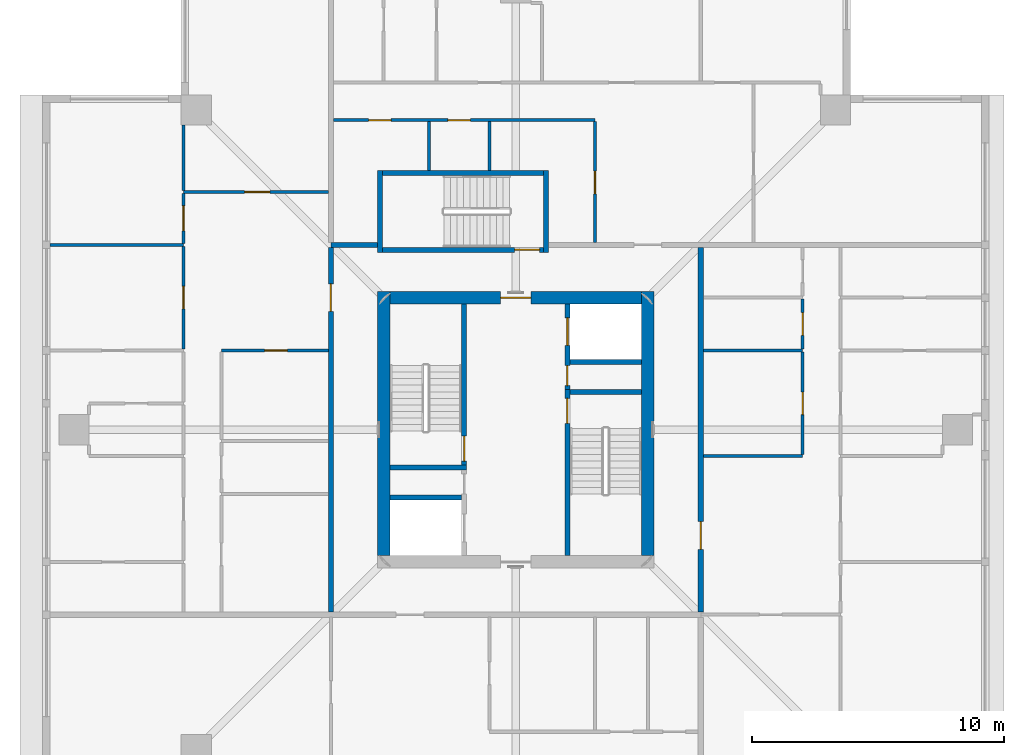
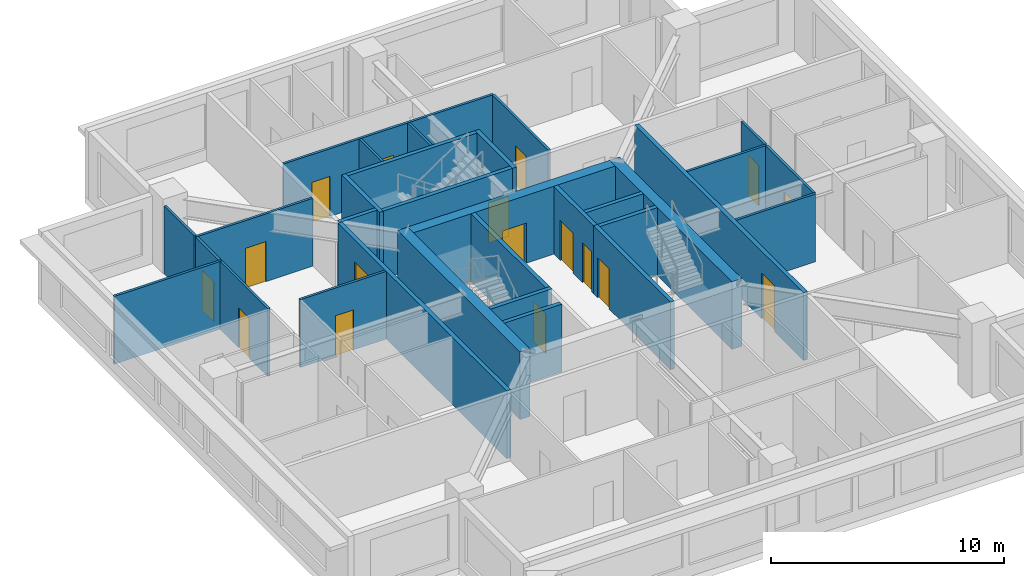
# One storey, part 6 of 11: 31 walls, 17 doors, 17 openings.
"""IFC4 building model written with IfcOpenShell, lengths in metres."""

import ifcopenshell
import ifcopenshell.guid

model = None  # the IFC model being written
_history = None  # IfcOwnerHistory: only IFC2X3 demands one
_inside = {}  # id of a spatial element -> (the spatial element, [elements in it])
_under = {}  # id of a project, library or spatial element -> (it, [spatial elements below it])
_declared = {}  # id of a project -> (the project, [libraries it declares])
_typed = {}  # id of a type object -> (the type object, [elements of that type])
_made_of = {}  # id of a material, layer set ... -> (it, [elements and type objects made of it])


def new_model(schema):
    """Start an empty IFC model of exactly this schema.

    Asked for "IFC4X3", IfcOpenShell would pick the latest addendum, in which some entities
    have other attributes; the version numbers below select the first issue.
    IFC2X3 requires an IfcOwnerHistory on every rooted entity: one is made here for all.
    """
    global model, _history
    if schema == "IFC4X3":
        model = ifcopenshell.file(schema_version=(4, 3, 0, 0))
    else:
        model = ifcopenshell.file(schema=schema)
    _inside.clear()
    _under.clear()
    _declared.clear()
    _typed.clear()
    _made_of.clear()
    _history = None
    if model.schema == "IFC2X3":
        org = make("IfcOrganization", Name="unknown")
        user = make(
            "IfcPersonAndOrganization",
            ThePerson=make("IfcPerson", FamilyName="unknown"),
            TheOrganization=org,
        )
        app = make(
            "IfcApplication",
            ApplicationDeveloper=org,
            Version="unknown",
            ApplicationFullName="unknown",
            ApplicationIdentifier="unknown",
        )
        _history = make(
            "IfcOwnerHistory",
            OwningUser=user,
            OwningApplication=app,
            ChangeAction="ADDED",
            CreationDate=0,
        )
    return model


def make(cls, **values):
    """One entity of the class cls with the attributes given. An attribute that is None is left unset."""
    return model.create_entity(
        cls, **{name: value for name, value in values.items() if value is not None}
    )


def rooted(cls, **values):
    """An entity with a GlobalId (a new one), such as an element, a storey or a relation."""
    return make(cls, GlobalId=ifcopenshell.guid.new(), OwnerHistory=_history, **values)


def si_unit(unit_type, name, prefix=None):
    """IfcSIUnit, for example si_unit("LENGTHUNIT", "METRE", prefix="MILLI")."""
    return make("IfcSIUnit", UnitType=unit_type, Prefix=prefix, Name=name)


def assignment(units):
    """IfcUnitAssignment: the units of a project."""
    return None if units is None else make("IfcUnitAssignment", Units=units)


def point(xyz):
    """IfcCartesianPoint."""
    return None if xyz is None else make("IfcCartesianPoint", Coordinates=xyz)


def direction(xyz):
    """IfcDirection."""
    return None if xyz is None else make("IfcDirection", DirectionRatios=xyz)


def frame(location, z_axis=None, x_axis=None):
    """IfcAxis2Placement3D, a coordinate frame: its origin and axes. An axis left out is left unset."""
    return make(
        "IfcAxis2Placement3D",
        Location=point(location),
        Axis=direction(z_axis),
        RefDirection=direction(x_axis),
    )


def frame_2d(location, x_axis=None):
    """IfcAxis2Placement2D, a coordinate frame in the plane: its origin and x axis."""
    return make(
        "IfcAxis2Placement2D", Location=point(location), RefDirection=direction(x_axis)
    )


def origin():
    """The frame at (0, 0, 0) with its axes left unset."""
    return frame((0.0, 0.0, 0.0))


def place(relative_to, where):
    """IfcLocalPlacement: puts the frame where relative to a parent placement (None: the world)."""
    return make(
        "IfcLocalPlacement", PlacementRelTo=relative_to, RelativePlacement=where
    )


def context(
    kind, dimensions, precision=None, world=None, true_north=None, identifier=None
):
    """IfcGeometricRepresentationContext, for example the 3D "Model" context."""
    return make(
        "IfcGeometricRepresentationContext",
        ContextIdentifier=identifier,
        ContextType=kind,
        CoordinateSpaceDimension=dimensions,
        Precision=precision,
        WorldCoordinateSystem=world,
        TrueNorth=true_north,
    )


def subcontext(parent, identifier, kind, view, scale=None):
    """IfcGeometricRepresentationSubContext, for example "Body" below "Model"."""
    return make(
        "IfcGeometricRepresentationSubContext",
        ContextIdentifier=identifier,
        ContextType=kind,
        ParentContext=parent,
        TargetScale=scale,
        TargetView=view,
    )


def project(units=None, contexts=None):
    """IfcProject with its units and contexts."""
    return rooted(
        "IfcProject",
        Name="project",
        RepresentationContexts=contexts,
        UnitsInContext=assignment(units),
    )


def spatial(cls, under=None, at=None, **own):
    """A site, building, storey or space (cls), placed at a placement, below another one or the project."""
    s = rooted(cls, ObjectPlacement=at, **own)
    if under is not None:
        _under.setdefault(under.id(), (under, []))[1].append(s)
    return s


def profile(cls, at=None, kind="AREA", **sizes):
    """A parametric profile (cls). Its sizes go by their IFC names, for example OverallWidth=200.0."""
    return make(cls, ProfileType=kind, Position=at, **sizes)


def rectangle(**sizes):
    """IfcRectangleProfileDef."""
    return profile("IfcRectangleProfileDef", **sizes)


def extrude(swept, where, along, depth):
    """IfcExtrudedAreaSolid: the profile swept, set in the frame where, extruded along a direction by depth."""
    return make(
        "IfcExtrudedAreaSolid",
        SweptArea=swept,
        Position=where,
        ExtrudedDirection=direction(along),
        Depth=depth,
    )


def shape(context_of_items, identifier, shape_type, items):
    """IfcShapeRepresentation: the items that make up one representation, for example the "Body"."""
    return make(
        "IfcShapeRepresentation",
        ContextOfItems=context_of_items,
        RepresentationIdentifier=identifier,
        RepresentationType=shape_type,
        Items=items,
    )


def material(Name=None, Category=None):
    """IfcMaterial."""
    return make("IfcMaterial", Name=Name, Category=Category)


def layer(
    of_material, thickness, ventilated=None, Name=None, Category=None, Priority=None
):
    """IfcMaterialLayer: one layer of a wall or slab, of a material (None: an air gap)."""
    return make(
        "IfcMaterialLayer",
        Material=of_material,
        LayerThickness=thickness,
        IsVentilated=ventilated,
        Name=Name,
        Category=Category,
        Priority=Priority,
    )


def layer_set(layers, Name=None):
    """IfcMaterialLayerSet."""
    return make("IfcMaterialLayerSet", MaterialLayers=layers, LayerSetName=Name)


def made_of(thing, what):
    """Note that an element or type object is made of a material, layer set ...; save() writes the relation."""
    if what is not None:
        _made_of.setdefault(what.id(), (what, []))[1].append(thing)
    return thing


def type_object(cls, material=None, **own):
    """A type object (cls), such as IfcWallType, which elements share."""
    return made_of(rooted(cls, **own), material)


def element(
    cls,
    number,
    at=None,
    inside=None,
    cuts=None,
    type_object=None,
    material=None,
    context=None,
    identifier="Body",
    shape_type=None,
    held_by="IfcProductDefinitionShape",
    body=None,
    shapes=None,
    **own,
):
    """One element of the class cls, such as IfcWall. Its Tag is "e" and its number.

    at: its placement. inside: the storey or other place that contains it. cuts: it is an
    opening in that element (IfcRelVoidsElement). A single representation is given by context,
    identifier, shape_type and body (its items); several are given by shapes. held_by: the class
    of the entity that holds the representations. save() writes the other relations.
    """
    e = rooted(cls, Tag="e%d" % number, ObjectPlacement=at, **own)
    if body is not None:
        shapes = [shape(context, identifier, shape_type, body)]
    if shapes is not None:
        e.Representation = make(held_by, Representations=shapes)
    if inside is not None:
        _inside.setdefault(inside.id(), (inside, []))[1].append(e)
    if cuts is not None:
        rooted(
            "IfcRelVoidsElement", RelatingBuildingElement=cuts, RelatedOpeningElement=e
        )
    if type_object is not None:
        _typed.setdefault(type_object.id(), (type_object, []))[1].append(e)
    return made_of(e, material)


def fill(opening, filler):
    """IfcRelFillsElement: the door or window that sits in an opening."""
    return rooted(
        "IfcRelFillsElement",
        RelatingOpeningElement=opening,
        RelatedBuildingElement=filler,
    )


def aggregate(whole, parts):
    """IfcRelAggregates: a whole, such as a stair, and the parts it consists of."""
    return rooted("IfcRelAggregates", RelatingObject=whole, RelatedObjects=parts)


def save(model, path):
    """Write the relations noted so far, then the file.

    IfcRelAggregates (storeys below a building ...), IfcRelContainedInSpatialStructure (elements
    in a storey), IfcRelDefinesByType, IfcRelAssociatesMaterial and IfcRelDeclares: one each for
    every whole, place, type object, material and project.
    """
    for whole, parts in _under.values():
        aggregate(whole, parts)
    for where, things in _inside.values():
        rooted(
            "IfcRelContainedInSpatialStructure",
            RelatedElements=things,
            RelatingStructure=where,
        )
    for kind, things in _typed.values():
        rooted("IfcRelDefinesByType", RelatedObjects=things, RelatingType=kind)
    for what, things in _made_of.values():
        rooted("IfcRelAssociatesMaterial", RelatedObjects=things, RelatingMaterial=what)
    for by, libraries in _declared.values():
        rooted("IfcRelDeclares", RelatingContext=by, RelatedDefinitions=libraries)
    model.write(path)


model = new_model("IFC4")

# Units and contexts
model_context = context("Model", 3, precision=1e-05, world=origin(), true_north=direction((0.0, 1.0)))
body_context = subcontext(model_context, "Body", "Model", "MODEL_VIEW")
ifc_project = project(units=[si_unit("LENGTHUNIT", "METRE"), si_unit("AREAUNIT", "SQUARE_METRE"), si_unit("VOLUMEUNIT", "CUBIC_METRE"), si_unit("PLANEANGLEUNIT", "RADIAN"), si_unit("MASSUNIT", "GRAM", prefix="KILO")], contexts=[model_context])

# Site, building, storey
site_placement = place(None, origin())
site = spatial("IfcSite", under=ifc_project, at=site_placement, CompositionType="ELEMENT")
building_placement = place(site_placement, origin())
building = spatial("IfcBuilding", under=site, at=building_placement, Name="Khepri Terraces", CompositionType="ELEMENT")
storey_placement = place(building_placement, frame((0.0, 0.0, 308.39990234375)))
storey = spatial("IfcBuildingStorey", under=building, at=storey_placement, Name="L74", CompositionType="ELEMENT", Elevation=308.39990234375)

# Wall, opening, door
ifc_material_1 = material(Name="Concrete C40/50", Category="concrete")
ifc_layer_1 = layer(ifc_material_1, 0.199951171875, Name="Concrete C40/50", Category="concrete")
ifc_layer_set_1 = layer_set([ifc_layer_1], Name="Concrete C40/50")
wall_type_1 = type_object("IfcWallType", Name="Core wall 200 C40/50", PredefinedType="SHEAR", material=ifc_layer_set_1)
wall_1_placement = place(storey_placement, frame((2.050048828125, -5.0, 0.0), z_axis=(0.0, 0.0, 1.0), x_axis=(0.0, 1.0, 0.0)))
wall_1 = element("IfcWall", 1, at=wall_1_placement, inside=storey, type_object=wall_type_1, Name="Core wall ST01 L74", PredefinedType="SHEAR", context=body_context, shape_type="SweptSolid", body=[
    extrude(rectangle(XDim=6.60009765625, YDim=0.199951171875, at=frame_2d((3.300048828125, 0.0))), origin(), (0.0, 0.0, 1.0), 3.550048828125),
])
opening_1_placement = place(wall_1_placement, frame((5.25, 0.0, 0.0)))
opening_1 = element("IfcOpeningElement", 2, at=opening_1_placement, cuts=wall_1, Name="Opening L74-C04", PredefinedType="OPENING", context=body_context, shape_type="SweptSolid", body=[
    extrude(rectangle(XDim=1.0, YDim=2.10009765625, at=frame_2d((0.5, 1.050048828125))), frame((0.0, 0.10986328125, 0.0), z_axis=(0.0, -1.0, 0.0), x_axis=(1.0, 0.0, 0.0)), (0.0, 0.0, 1.0), 0.219970703125),
])
ifc_material_2 = material(Name="Painted steel", Category="steel")
door_type_1 = type_object("IfcDoorType", Name="DR-CORE-STAIR-1000", OperationType="NOTDEFINED", PredefinedType="DOOR", material=ifc_material_2)
door_1_placement = place(opening_1_placement, frame((1.0, 0.0, 0.0), z_axis=(0.0, 0.0, 1.0), x_axis=(-1.0, 0.0, 0.0)))
door_1 = element("IfcDoor", 3, at=door_1_placement, inside=storey, type_object=door_type_1, Name="Stair door L74-C04", OperationType="SINGLE_SWING_LEFT", OverallHeight=2.10009765625, OverallWidth=1.0, PredefinedType="DOOR", context=body_context, shape_type="SweptSolid", body=[
    extrude(rectangle(XDim=1.0, YDim=2.10009765625, at=frame_2d((0.5, 1.050048828125))), frame((0.0, 0.02490234375, 0.0), z_axis=(0.0, -1.0, 0.0), x_axis=(1.0, 0.0, 0.0)), (0.0, 0.0, 1.0), 0.050048828125),
])
fill(opening_1, door_1)

# Wall
wall_2_placement = place(storey_placement, frame((-5.0, -1.5, 0.0), z_axis=(0.0, 0.0, 1.0), x_axis=(1.0, 0.0, 0.0)))
element("IfcWall", 4, at=wall_2_placement, inside=storey, type_object=wall_type_1, Name="Core wall ST02 L74", PredefinedType="SHEAR", context=body_context, shape_type="SweptSolid", body=[
    extrude(rectangle(XDim=3.050048828125, YDim=0.199951171875, at=frame_2d((1.52490234375, 0.0))), origin(), (0.0, 0.0, 1.0), 3.550048828125),
])

# Wall, opening, door
wall_3_placement = place(storey_placement, frame((-2.050048828125, -1.39990234375, 0.0), z_axis=(0.0, 0.0, 1.0), x_axis=(0.0, 1.0, 0.0)))
wall_3 = element("IfcWall", 5, at=wall_3_placement, inside=storey, type_object=wall_type_1, Name="Core wall ST03 L74", PredefinedType="SHEAR", context=body_context, shape_type="SweptSolid", body=[
    extrude(rectangle(XDim=6.39990234375, YDim=0.199951171875, at=frame_2d((3.199951171875, 0.0))), origin(), (0.0, 0.0, 1.0), 3.550048828125),
])
opening_2_placement = place(wall_3_placement, frame((0.14990234375, 0.0, 0.0)))
opening_2 = element("IfcOpeningElement", 6, at=opening_2_placement, cuts=wall_3, Name="Opening L74-C03", PredefinedType="OPENING", context=body_context, shape_type="SweptSolid", body=[
    extrude(rectangle(XDim=1.0, YDim=2.10009765625, at=frame_2d((0.5, 1.050048828125))), frame((0.0, 0.10986328125, 0.0), z_axis=(0.0, -1.0, 0.0), x_axis=(1.0, 0.0, 0.0)), (0.0, 0.0, 1.0), 0.219970703125),
])
door_2_placement = place(opening_2_placement, origin())
door_2 = element("IfcDoor", 7, at=door_2_placement, inside=storey, type_object=door_type_1, Name="Stair door L74-C03", OperationType="SINGLE_SWING_LEFT", OverallHeight=2.10009765625, OverallWidth=1.0, PredefinedType="DOOR", context=body_context, shape_type="SweptSolid", body=[
    extrude(rectangle(XDim=1.0, YDim=2.10009765625, at=frame_2d((0.5, 1.050048828125))), frame((0.0, 0.02490234375, 0.0), z_axis=(0.0, -1.0, 0.0), x_axis=(1.0, 0.0, 0.0)), (0.0, 0.0, 1.0), 0.050048828125),
])
fill(opening_2, door_2)

# Walls
for number, where, z_axis, x_axis, name in (
    (8, (2.14990234375, 1.5, 0.0), (0.0, 0.0, 1.0), (1.0, 0.0, 0.0), "Core wall ST04 L74"),
    (9, (-5.0, -2.699951171875, 0.0), (0.0, 0.0, 1.0), (1.0, 0.0, 0.0), "Core wall SH02 L74"),
):
    element("IfcWall", number, at=place(storey_placement, frame(where, z_axis=z_axis, x_axis=x_axis)), inside=storey, type_object=wall_type_1, Name=name, PredefinedType="SHEAR", context=body_context, shape_type="SweptSolid", body=[
        extrude(rectangle(XDim=2.85009765625, YDim=0.199951171875, at=frame_2d((1.425048828125, 0.0))), origin(), (0.0, 0.0, 1.0), 3.550048828125),
    ])

# Wall, openings, doors
wall_4_placement = place(storey_placement, frame((2.050048828125, 1.60009765625, 0.0), z_axis=(0.0, 0.0, 1.0), x_axis=(0.0, 1.0, 0.0)))
wall_4 = element("IfcWall", 10, at=wall_4_placement, inside=storey, type_object=wall_type_1, Name="Core wall SH03 L74", PredefinedType="SHEAR", context=body_context, shape_type="SweptSolid", body=[
    extrude(rectangle(XDim=3.39990234375, YDim=0.199951171875, at=frame_2d((1.699951171875, 0.0))), origin(), (0.0, 0.0, 1.0), 3.550048828125),
])
opening_3_placement = place(wall_4_placement, frame((1.75, 0.0, 0.0)))
opening_3 = element("IfcOpeningElement", 11, at=opening_3_placement, cuts=wall_4, Name="Opening L74-C01", PredefinedType="OPENING", context=body_context, shape_type="SweptSolid", body=[
    extrude(rectangle(XDim=1.10009765625, YDim=2.10009765625, at=frame_2d((0.550048828125, 1.050048828125))), frame((0.0, 0.10986328125, 0.0), z_axis=(0.0, -1.0, 0.0), x_axis=(1.0, 0.0, 0.0)), (0.0, 0.0, 1.0), 0.219970703125),
])
opening_4_placement = place(wall_4_placement, frame((0.14990234375, 0.0, 0.0)))
opening_4 = element("IfcOpeningElement", 12, at=opening_4_placement, cuts=wall_4, Name="Opening L74-C05", PredefinedType="OPENING", context=body_context, shape_type="SweptSolid", body=[
    extrude(rectangle(XDim=0.800048828125, YDim=2.10009765625, at=frame_2d((0.39990234375, 1.050048828125))), frame((0.0, 0.10986328125, 0.0), z_axis=(0.0, -1.0, 0.0), x_axis=(1.0, 0.0, 0.0)), (0.0, 0.0, 1.0), 0.219970703125),
])
ifc_material_3 = material(Name="Stainless steel 304", Category="steel")
door_type_2 = type_object("IfcDoorType", Name="DR-CORE-FF-LANDING-1100", OperationType="NOTDEFINED", PredefinedType="DOOR", material=ifc_material_3)
door_3_placement = place(opening_3_placement, origin())
door_3 = element("IfcDoor", 13, at=door_3_placement, inside=storey, type_object=door_type_2, Name="Firefighting lift landing door L74-C01", OperationType="SLIDING_TO_LEFT", OverallHeight=2.10009765625, OverallWidth=1.10009765625, PredefinedType="DOOR", context=body_context, shape_type="SweptSolid", body=[
    extrude(rectangle(XDim=1.10009765625, YDim=2.10009765625, at=frame_2d((0.550048828125, 1.050048828125))), frame((0.0, 0.02490234375, 0.0), z_axis=(0.0, -1.0, 0.0), x_axis=(1.0, 0.0, 0.0)), (0.0, 0.0, 1.0), 0.050048828125),
])
fill(opening_3, door_3)
door_type_3 = type_object("IfcDoorType", Name="DR-CORE-RISER-800", OperationType="NOTDEFINED", PredefinedType="DOOR", material=ifc_material_2)
door_4_placement = place(opening_4_placement, frame((0.800048828125, 0.0, 0.0), z_axis=(0.0, 0.0, 1.0), x_axis=(-1.0, 0.0, 0.0)))
door_4 = element("IfcDoor", 14, at=door_4_placement, inside=storey, type_object=door_type_3, Name="Riser door L74-C05", OperationType="SINGLE_SWING_RIGHT", OverallHeight=2.10009765625, OverallWidth=0.800048828125, PredefinedType="DOOR", context=body_context, shape_type="SweptSolid", body=[
    extrude(rectangle(XDim=0.800048828125, YDim=2.10009765625, at=frame_2d((0.39990234375, 1.050048828125))), frame((0.0, 0.02490234375, 0.0), z_axis=(0.0, -1.0, 0.0), x_axis=(1.0, 0.0, 0.0)), (0.0, 0.0, 1.0), 0.050048828125),
])
fill(opening_4, door_4)

# Walls
wall_5_placement = place(storey_placement, frame((2.14990234375, 2.699951171875, 0.0), z_axis=(0.0, 0.0, 1.0), x_axis=(1.0, 0.0, 0.0)))
element("IfcWall", 15, at=wall_5_placement, inside=storey, type_object=wall_type_1, Name="Core wall SH04 L74", PredefinedType="SHEAR", context=body_context, shape_type="SweptSolid", body=[
    extrude(rectangle(XDim=2.85009765625, YDim=0.199951171875, at=frame_2d((1.425048828125, 0.0))), origin(), (0.0, 0.0, 1.0), 3.550048828125),
])
for number, where, z_axis, x_axis, name in (
    (16, (-5.39990234375, 7.050048828125, 0.0), (0.0, 0.0, 1.0), (0.0, 1.0, 0.0), "Core wall S3W L74"),
    (17, (1.199951171875, 7.050048828125, 0.0), (0.0, 0.0, 1.0), (0.0, 1.0, 0.0), "Core wall S3E L74"),
):
    element("IfcWall", number, at=place(storey_placement, frame(where, z_axis=z_axis, x_axis=x_axis)), inside=storey, type_object=wall_type_1, Name=name, PredefinedType="SHEAR", context=body_context, shape_type="SweptSolid", body=[
        extrude(rectangle(XDim=3.25, YDim=0.199951171875, at=frame_2d((1.625, 0.0))), origin(), (0.0, 0.0, 1.0), 3.550048828125),
    ])

# Wall, opening, door
wall_6_placement = place(storey_placement, frame((-5.300048828125, 7.14990234375, 0.0), z_axis=(0.0, 0.0, 1.0), x_axis=(1.0, 0.0, 0.0)))
wall_6 = element("IfcWall", 18, at=wall_6_placement, inside=storey, type_object=wall_type_1, Name="Core wall S3S L74", PredefinedType="SHEAR", context=body_context, shape_type="SweptSolid", body=[
    extrude(rectangle(XDim=6.400146484375, YDim=0.199951171875, at=frame_2d((3.2001953125, 0.0))), origin(), (0.0, 0.0, 1.0), 3.550048828125),
])
opening_5_placement = place(wall_6_placement, frame((5.25, 0.0, 0.0)))
opening_5 = element("IfcOpeningElement", 19, at=opening_5_placement, cuts=wall_6, Name="Opening L74-C07", PredefinedType="OPENING", context=body_context, shape_type="SweptSolid", body=[
    extrude(rectangle(XDim=1.0, YDim=2.10009765625, at=frame_2d((0.5, 1.050048828125))), frame((0.0, 0.10986328125, 0.0), z_axis=(0.0, -1.0, 0.0), x_axis=(1.0, 0.0, 0.0)), (0.0, 0.0, 1.0), 0.219970703125),
])
door_5_placement = place(opening_5_placement, origin())
door_5 = element("IfcDoor", 20, at=door_5_placement, inside=storey, type_object=door_type_1, Name="Stair door L74-C07", OperationType="SINGLE_SWING_RIGHT", OverallHeight=2.10009765625, OverallWidth=1.0, PredefinedType="DOOR", context=body_context, shape_type="SweptSolid", body=[
    extrude(rectangle(XDim=1.0, YDim=2.10009765625, at=frame_2d((0.5, 1.050048828125))), frame((0.0, 0.02490234375, 0.0), z_axis=(0.0, -1.0, 0.0), x_axis=(1.0, 0.0, 0.0)), (0.0, 0.0, 1.0), 0.050048828125),
])
fill(opening_5, door_5)

# Walls
wall_7_placement = place(storey_placement, frame((-5.300048828125, 10.199951171875, 0.0), z_axis=(0.0, 0.0, 1.0), x_axis=(1.0, 0.0, 0.0)))
element("IfcWall", 21, at=wall_7_placement, inside=storey, type_object=wall_type_1, Name="Core wall S3N L74", PredefinedType="SHEAR", context=body_context, shape_type="SweptSolid", body=[
    extrude(rectangle(XDim=6.400146484375, YDim=0.199951171875, at=frame_2d((3.2001953125, 0.0))), origin(), (0.0, 0.0, 1.0), 3.550048828125),
])
ifc_layer_2 = layer(ifc_material_1, 0.5, Name="Concrete C40/50", Category="concrete")
ifc_layer_set_2 = layer_set([ifc_layer_2], Name="Concrete C40/50")
wall_type_2 = type_object("IfcWallType", Name="Core wall 500 C40/50", PredefinedType="SHEAR", material=ifc_layer_set_2)
for number, where, z_axis, x_axis, name in (
    (22, (-5.25, -5.0, 0.0), (0.0, 0.0, 1.0), (0.0, 1.0, 0.0), "Core wall BX02 L74"),
    (23, (5.25, -5.0, 0.0), (0.0, 0.0, 1.0), (0.0, 1.0, 0.0), "Core wall BX03 L74"),
):
    element("IfcWall", number, at=place(storey_placement, frame(where, z_axis=z_axis, x_axis=x_axis)), inside=storey, type_object=wall_type_2, Name=name, PredefinedType="SHEAR", context=body_context, shape_type="SweptSolid", body=[
        extrude(rectangle(XDim=10.5, YDim=0.5, at=frame_2d((5.25, 0.0))), origin(), (0.0, 0.0, 1.0), 3.550048828125),
    ])

# Wall, opening, door
wall_8_placement = place(storey_placement, frame((-5.0, 5.25, 0.0), z_axis=(0.0, 0.0, 1.0), x_axis=(1.0, 0.0, 0.0)))
wall_8 = element("IfcWall", 24, at=wall_8_placement, inside=storey, type_object=wall_type_2, Name="Core wall BX04 L74", PredefinedType="SHEAR", context=body_context, shape_type="SweptSolid", body=[
    extrude(rectangle(XDim=10.0, YDim=0.5, at=frame_2d((5.0, 0.0))), origin(), (0.0, 0.0, 1.0), 3.550048828125),
])
opening_6_placement = place(wall_8_placement, frame((4.39990234375, 0.0, 0.0)))
opening_6 = element("IfcOpeningElement", 25, at=opening_6_placement, cuts=wall_8, Name="Opening L74-C08", PredefinedType="OPENING", context=body_context, shape_type="SweptSolid", body=[
    extrude(rectangle(XDim=1.199951171875, YDim=2.10009765625, at=frame_2d((0.60009765625, 1.050048828125))), frame((0.0, 0.260009765625, 0.0), z_axis=(0.0, -1.0, 0.0), x_axis=(1.0, 0.0, 0.0)), (0.0, 0.0, 1.0), 0.52001953125),
])
door_type_4 = type_object("IfcDoorType", Name="DR-CORE-FF-LOBBY-1200", OperationType="NOTDEFINED", PredefinedType="DOOR", material=ifc_material_2)
door_6_placement = place(opening_6_placement, origin())
door_6 = element("IfcDoor", 26, at=door_6_placement, inside=storey, type_object=door_type_4, Name="Firefighting lobby door L74-C08", OperationType="SINGLE_SWING_RIGHT", OverallHeight=2.10009765625, OverallWidth=1.199951171875, PredefinedType="DOOR", context=body_context, shape_type="SweptSolid", body=[
    extrude(rectangle(XDim=1.199951171875, YDim=2.10009765625, at=frame_2d((0.60009765625, 1.050048828125))), frame((0.0, 0.02490234375, 0.0), z_axis=(0.0, -1.0, 0.0), x_axis=(1.0, 0.0, 0.0)), (0.0, 0.0, 1.0), 0.050048828125),
])
fill(opening_6, door_6)

ifc_material_4 = material(Name="Fire-rated gypsum plasterboard partition, mineral wool")
ifc_layer_3 = layer(ifc_material_4, 0.199951171875, Name="Fire-rated gypsum plasterboard partition, mineral wool")
ifc_layer_set_3 = layer_set([ifc_layer_3], Name="Fire-rated gypsum plasterboard partition, mineral wool")
wall_type_3 = type_object("IfcWallType", Name="WL-CORR-200", PredefinedType="PARTITIONING", material=ifc_layer_set_3)
wall_9_placement = place(storey_placement, frame((-7.35009765625, -7.25, 0.0), z_axis=(0.0, 0.0, 1.0), x_axis=(0.0, 1.0, 0.0)))
wall_9 = element("IfcWall", 27, at=wall_9_placement, inside=storey, type_object=wall_type_3, Name="Partition P-020 L74", PredefinedType="PARTITIONING", context=body_context, shape_type="SweptSolid", body=[
    extrude(rectangle(XDim=14.5, YDim=0.199951171875, at=frame_2d((7.25, 0.0))), origin(), (0.0, 0.0, 1.0), 3.550048828125),
])
opening_7_placement = place(wall_9_placement, frame((11.949951171875, 0.0, 0.0)))
opening_7 = element("IfcOpeningElement", 28, at=opening_7_placement, cuts=wall_9, Name="Opening D1", PredefinedType="OPENING", context=body_context, shape_type="SweptSolid", body=[
    extrude(rectangle(XDim=1.10009765625, YDim=2.39990234375, at=frame_2d((0.550048828125, 1.199951171875))), frame((0.0, 0.10986328125, 0.0), z_axis=(0.0, -1.0, 0.0), x_axis=(1.0, 0.0, 0.0)), (0.0, 0.0, 1.0), 0.219970703125),
])
ifc_material_5 = material(Name="Solid-core timber door leaf, flat entrance door", Category="wood")
door_type_5 = type_object("IfcDoorType", Name="DR-ENT-1100", OperationType="NOTDEFINED", PredefinedType="DOOR", material=ifc_material_5)
door_7_placement = place(opening_7_placement, origin())
door_7 = element("IfcDoor", 29, at=door_7_placement, inside=storey, type_object=door_type_5, Name="Flat D1 entrance door", OperationType="SINGLE_SWING_RIGHT", OverallHeight=2.39990234375, OverallWidth=1.10009765625, PredefinedType="DOOR", context=body_context, shape_type="SweptSolid", body=[
    extrude(rectangle(XDim=1.10009765625, YDim=2.39990234375, at=frame_2d((0.550048828125, 1.199951171875))), frame((0.0, 0.02490234375, 0.0), z_axis=(0.0, -1.0, 0.0), x_axis=(1.0, 0.0, 0.0)), (0.0, 0.0, 1.0), 0.050048828125),
])
fill(opening_7, door_7)

wall_10_placement = place(storey_placement, frame((7.35009765625, -7.25, 0.0), z_axis=(0.0, 0.0, 1.0), x_axis=(0.0, 1.0, 0.0)))
wall_10 = element("IfcWall", 30, at=wall_10_placement, inside=storey, type_object=wall_type_3, Name="Partition P-021 L74", PredefinedType="PARTITIONING", context=body_context, shape_type="SweptSolid", body=[
    extrude(rectangle(XDim=14.5, YDim=0.199951171875, at=frame_2d((7.25, 0.0))), origin(), (0.0, 0.0, 1.0), 3.550048828125),
])
opening_8_placement = place(wall_10_placement, frame((2.5, 0.0, 0.0)))
opening_8 = element("IfcOpeningElement", 31, at=opening_8_placement, cuts=wall_10, Name="Opening D1", PredefinedType="OPENING", context=body_context, shape_type="SweptSolid", body=[
    extrude(rectangle(XDim=1.10009765625, YDim=2.39990234375, at=frame_2d((0.550048828125, 1.199951171875))), frame((0.0, 0.10986328125, 0.0), z_axis=(0.0, -1.0, 0.0), x_axis=(1.0, 0.0, 0.0)), (0.0, 0.0, 1.0), 0.219970703125),
])
door_8_placement = place(opening_8_placement, frame((1.10009765625, 0.0, 0.0), z_axis=(0.0, 0.0, 1.0), x_axis=(-1.0, 0.0, 0.0)))
door_8 = element("IfcDoor", 32, at=door_8_placement, inside=storey, type_object=door_type_5, Name="Flat B1 entrance door", OperationType="SINGLE_SWING_RIGHT", OverallHeight=2.39990234375, OverallWidth=1.10009765625, PredefinedType="DOOR", context=body_context, shape_type="SweptSolid", body=[
    extrude(rectangle(XDim=1.10009765625, YDim=2.39990234375, at=frame_2d((0.550048828125, 1.199951171875))), frame((0.0, 0.02490234375, 0.0), z_axis=(0.0, -1.0, 0.0), x_axis=(1.0, 0.0, 0.0)), (0.0, 0.0, 1.0), 0.050048828125),
])
fill(opening_8, door_8)

# Walls
wall_11_placement = place(storey_placement, frame((-7.35009765625, 7.35009765625, 0.0), z_axis=(0.0, 0.0, 1.0), x_axis=(1.0, 0.0, 0.0)))
element("IfcWall", 33, at=wall_11_placement, inside=storey, type_object=wall_type_3, Name="Partition P-054 L74", PredefinedType="PARTITIONING", context=body_context, shape_type="SweptSolid", body=[
    extrude(rectangle(XDim=1.85009765625, YDim=0.199951171875, at=frame_2d((0.925048828125, 0.0))), origin(), (0.0, 0.0, 1.0), 3.550048828125),
])
ifc_material_6 = material(Name="Gypsum plasterboard partition")
ifc_layer_4 = layer(ifc_material_6, 0.1201171875, Name="Gypsum plasterboard partition")
ifc_layer_set_4 = layer_set([ifc_layer_4], Name="Gypsum plasterboard partition")
wall_type_4 = type_object("IfcWallType", Name="WL-PART-120", PredefinedType="PARTITIONING", material=ifc_layer_set_4)
wall_12_placement = place(storey_placement, frame((7.449951171875, -1.050048828125, 0.0), z_axis=(0.0, 0.0, 1.0), x_axis=(1.0, 0.0, 0.0)))
element("IfcWall", 34, at=wall_12_placement, inside=storey, type_object=wall_type_4, Name="Partition P-029 L74", PredefinedType="PARTITIONING", context=body_context, shape_type="SweptSolid", body=[
    extrude(rectangle(XDim=3.949951171875, YDim=0.1201171875, at=frame_2d((1.97509765625, 0.0))), origin(), (0.0, 0.0, 1.0), 3.550048828125),
])

# Wall, opening, door
wall_13_placement = place(storey_placement, frame((11.39990234375, -0.989990234375, 0.0), z_axis=(0.0, 0.0, 1.0), x_axis=(0.0, 1.0, 0.0)))
wall_13 = element("IfcWall", 35, at=wall_13_placement, inside=storey, type_object=wall_type_4, Name="Partition P-033 L74", PredefinedType="PARTITIONING", context=body_context, shape_type="SweptSolid", body=[
    extrude(rectangle(XDim=4.080078125, YDim=0.1201171875, at=frame_2d((2.0400390625, 0.0))), origin(), (0.0, 0.0, 1.0), 3.550048828125),
])
opening_9_placement = place(wall_13_placement, frame((1.590087890625, 0.0, 0.0)))
opening_9 = element("IfcOpeningElement", 36, at=opening_9_placement, cuts=wall_13, Name="Opening D3", PredefinedType="OPENING", context=body_context, shape_type="SweptSolid", body=[
    extrude(rectangle(XDim=0.89990234375, YDim=2.10009765625, at=frame_2d((0.449951171875, 1.050048828125))), frame((0.0, 0.070068359375, 0.0), z_axis=(0.0, -1.0, 0.0), x_axis=(1.0, 0.0, 0.0)), (0.0, 0.0, 1.0), 0.14013671875),
])
ifc_material_7 = material(Name="Timber door leaf", Category="wood")
door_type_6 = type_object("IfcDoorType", Name="DR-INT-900", OperationType="NOTDEFINED", PredefinedType="DOOR", material=ifc_material_7)
door_9_placement = place(opening_9_placement, origin())
door_9 = element("IfcDoor", 37, at=door_9_placement, inside=storey, type_object=door_type_6, Name="Door Kitchen", OperationType="SINGLE_SWING_RIGHT", OverallHeight=2.10009765625, OverallWidth=0.89990234375, PredefinedType="DOOR", context=body_context, shape_type="SweptSolid", body=[
    extrude(rectangle(XDim=0.89990234375, YDim=2.10009765625, at=frame_2d((0.449951171875, 1.050048828125))), frame((0.0, 0.02490234375, 0.0), z_axis=(0.0, -1.0, 0.0), x_axis=(1.0, 0.0, 0.0)), (0.0, 0.0, 1.0), 0.050048828125),
])
fill(opening_9, door_9)

wall_14_placement = place(storey_placement, frame((-11.699951171875, 3.14990234375, 0.0), z_axis=(0.0, 0.0, 1.0), x_axis=(1.0, 0.0, 0.0)))
wall_14 = element("IfcWall", 38, at=wall_14_placement, inside=storey, type_object=wall_type_4, Name="Partition P-043 L74", PredefinedType="PARTITIONING", context=body_context, shape_type="SweptSolid", body=[
    extrude(rectangle(XDim=4.25, YDim=0.1201171875, at=frame_2d((2.125, 0.0))), origin(), (0.0, 0.0, 1.0), 3.550048828125),
])
opening_10_placement = place(wall_14_placement, frame((1.72509765625, 0.0, 0.0)))
opening_10 = element("IfcOpeningElement", 39, at=opening_10_placement, cuts=wall_14, Name="Opening D3", PredefinedType="OPENING", context=body_context, shape_type="SweptSolid", body=[
    extrude(rectangle(XDim=0.89990234375, YDim=2.10009765625, at=frame_2d((0.449951171875, 1.050048828125))), frame((0.0, 0.070068359375, 0.0), z_axis=(0.0, -1.0, 0.0), x_axis=(1.0, 0.0, 0.0)), (0.0, 0.0, 1.0), 0.14013671875),
])
door_10_placement = place(opening_10_placement, frame((0.89990234375, 0.0, 0.0), z_axis=(0.0, 0.0, 1.0), x_axis=(-1.0, 0.0, 0.0)))
door_10 = element("IfcDoor", 40, at=door_10_placement, inside=storey, type_object=door_type_6, Name="Door Kitchen", OperationType="SINGLE_SWING_LEFT", OverallHeight=2.10009765625, OverallWidth=0.89990234375, PredefinedType="DOOR", context=body_context, shape_type="SweptSolid", body=[
    extrude(rectangle(XDim=0.89990234375, YDim=2.10009765625, at=frame_2d((0.449951171875, 1.050048828125))), frame((0.0, 0.02490234375, 0.0), z_axis=(0.0, -1.0, 0.0), x_axis=(1.0, 0.0, 0.0)), (0.0, 0.0, 1.0), 0.050048828125),
])
fill(opening_10, door_10)

# Wall
wall_15_placement = place(storey_placement, frame((7.449951171875, 3.14990234375, 0.0), z_axis=(0.0, 0.0, 1.0), x_axis=(1.0, 0.0, 0.0)))
element("IfcWall", 41, at=wall_15_placement, inside=storey, type_object=wall_type_4, Name="Partition P-044 L74", PredefinedType="PARTITIONING", context=body_context, shape_type="SweptSolid", body=[
    extrude(rectangle(XDim=3.949951171875, YDim=0.1201171875, at=frame_2d((1.97509765625, 0.0))), origin(), (0.0, 0.0, 1.0), 3.550048828125),
])

# Wall, opening, door
wall_16_placement = place(storey_placement, frame((-13.199951171875, 3.2099609375, 0.0), z_axis=(0.0, 0.0, 1.0), x_axis=(0.0, 1.0, 0.0)))
wall_16 = element("IfcWall", 42, at=wall_16_placement, inside=storey, type_object=wall_type_4, Name="Partition P-046 L74", PredefinedType="PARTITIONING", context=body_context, shape_type="SweptSolid", body=[
    extrude(rectangle(XDim=4.080078125, YDim=0.1201171875, at=frame_2d((2.0400390625, 0.0))), origin(), (0.0, 0.0, 1.0), 3.550048828125),
])
opening_11_placement = place(wall_16_placement, frame((1.590087890625, 0.0, 0.0)))
opening_11 = element("IfcOpeningElement", 43, at=opening_11_placement, cuts=wall_16, Name="Opening D3", PredefinedType="OPENING", context=body_context, shape_type="SweptSolid", body=[
    extrude(rectangle(XDim=0.89990234375, YDim=2.10009765625, at=frame_2d((0.449951171875, 1.050048828125))), frame((0.0, 0.070068359375, 0.0), z_axis=(0.0, -1.0, 0.0), x_axis=(1.0, 0.0, 0.0)), (0.0, 0.0, 1.0), 0.14013671875),
])
door_11_placement = place(opening_11_placement, origin())
door_11 = element("IfcDoor", 44, at=door_11_placement, inside=storey, type_object=door_type_6, Name="Door Master Bedroom", OperationType="SINGLE_SWING_RIGHT", OverallHeight=2.10009765625, OverallWidth=0.89990234375, PredefinedType="DOOR", context=body_context, shape_type="SweptSolid", body=[
    extrude(rectangle(XDim=0.89990234375, YDim=2.10009765625, at=frame_2d((0.449951171875, 1.050048828125))), frame((0.0, 0.02490234375, 0.0), z_axis=(0.0, -1.0, 0.0), x_axis=(1.0, 0.0, 0.0)), (0.0, 0.0, 1.0), 0.050048828125),
])
fill(opening_11, door_11)

wall_17_placement = place(storey_placement, frame((11.39990234375, 3.2099609375, 0.0), z_axis=(0.0, 0.0, 1.0), x_axis=(0.0, 1.0, 0.0)))
wall_17 = element("IfcWall", 45, at=wall_17_placement, inside=storey, type_object=wall_type_4, Name="Partition P-047 L74", PredefinedType="PARTITIONING", context=body_context, shape_type="SweptSolid", body=[
    extrude(rectangle(XDim=1.97998046875, YDim=0.1201171875, at=frame_2d((0.989990234375, 0.0))), origin(), (0.0, 0.0, 1.0), 3.550048828125),
])
opening_12_placement = place(wall_17_placement, frame((0.5400390625, 0.0, 0.0)))
opening_12 = element("IfcOpeningElement", 46, at=opening_12_placement, cuts=wall_17, Name="Opening D3", PredefinedType="OPENING", context=body_context, shape_type="SweptSolid", body=[
    extrude(rectangle(XDim=0.89990234375, YDim=2.10009765625, at=frame_2d((0.449951171875, 1.050048828125))), frame((0.0, 0.070068359375, 0.0), z_axis=(0.0, -1.0, 0.0), x_axis=(1.0, 0.0, 0.0)), (0.0, 0.0, 1.0), 0.14013671875),
])
door_12_placement = place(opening_12_placement, origin())
door_12 = element("IfcDoor", 47, at=door_12_placement, inside=storey, type_object=door_type_6, Name="Door Service Kitchen", OperationType="SINGLE_SWING_RIGHT", OverallHeight=2.10009765625, OverallWidth=0.89990234375, PredefinedType="DOOR", context=body_context, shape_type="SweptSolid", body=[
    extrude(rectangle(XDim=0.89990234375, YDim=2.10009765625, at=frame_2d((0.449951171875, 1.050048828125))), frame((0.0, 0.02490234375, 0.0), z_axis=(0.0, -1.0, 0.0), x_axis=(1.0, 0.0, 0.0)), (0.0, 0.0, 1.0), 0.050048828125),
])
fill(opening_12, door_12)

# Wall
wall_18_placement = place(storey_placement, frame((-18.5, 7.35009765625, 0.0), z_axis=(0.0, 0.0, 1.0), x_axis=(1.0, 0.0, 0.0)))
element("IfcWall", 48, at=wall_18_placement, inside=storey, type_object=wall_type_4, Name="Partition P-053 L74", PredefinedType="PARTITIONING", context=body_context, shape_type="SweptSolid", body=[
    extrude(rectangle(XDim=5.300048828125, YDim=0.1201171875, at=frame_2d((2.64990234375, 0.0))), origin(), (0.0, 0.0, 1.0), 3.550048828125),
])

# Wall, opening, door
wall_19_placement = place(storey_placement, frame((-13.199951171875, 7.409912109375, 0.0), z_axis=(0.0, 0.0, 1.0), x_axis=(0.0, 1.0, 0.0)))
wall_19 = element("IfcWall", 49, at=wall_19_placement, inside=storey, type_object=wall_type_4, Name="Partition P-056 L74", PredefinedType="PARTITIONING", context=body_context, shape_type="SweptSolid", body=[
    extrude(rectangle(XDim=1.97998046875, YDim=0.1201171875, at=frame_2d((0.989990234375, 0.0))), origin(), (0.0, 0.0, 1.0), 3.550048828125),
])
opening_13_placement = place(wall_19_placement, frame((0.489990234375, 0.0, 0.0)))
opening_13 = element("IfcOpeningElement", 50, at=opening_13_placement, cuts=wall_19, Name="Opening D2", PredefinedType="OPENING", context=body_context, shape_type="SweptSolid", body=[
    extrude(rectangle(XDim=1.0, YDim=2.10009765625, at=frame_2d((0.5, 1.050048828125))), frame((0.0, 0.070068359375, 0.0), z_axis=(0.0, -1.0, 0.0), x_axis=(1.0, 0.0, 0.0)), (0.0, 0.0, 1.0), 0.14013671875),
])
ifc_material_8 = material(Name="Timber door leaf, living room door", Category="wood")
door_type_7 = type_object("IfcDoorType", Name="DR-INT-1000", OperationType="NOTDEFINED", PredefinedType="DOOR", material=ifc_material_8)
door_13_placement = place(opening_13_placement, origin())
door_13 = element("IfcDoor", 51, at=door_13_placement, inside=storey, type_object=door_type_7, Name="Door Living Room", OperationType="SINGLE_SWING_LEFT", OverallHeight=2.10009765625, OverallWidth=1.0, PredefinedType="DOOR", context=body_context, shape_type="SweptSolid", body=[
    extrude(rectangle(XDim=1.0, YDim=2.10009765625, at=frame_2d((0.5, 1.050048828125))), frame((0.0, 0.02490234375, 0.0), z_axis=(0.0, -1.0, 0.0), x_axis=(1.0, 0.0, 0.0)), (0.0, 0.0, 1.0), 0.050048828125),
])
fill(opening_13, door_13)

wall_20_placement = place(storey_placement, frame((3.14990234375, 7.449951171875, 0.0), z_axis=(0.0, 0.0, 1.0), x_axis=(0.0, 1.0, 0.0)))
wall_20 = element("IfcWall", 52, at=wall_20_placement, inside=storey, type_object=wall_type_4, Name="Partition P-058 L74", PredefinedType="PARTITIONING", context=body_context, shape_type="SweptSolid", body=[
    extrude(rectangle(XDim=4.7900390625, YDim=0.1201171875, at=frame_2d((2.39501953125, 0.0))), origin(), (0.0, 0.0, 1.0), 3.550048828125),
])
opening_14_placement = place(wall_20_placement, frame((1.925048828125, 0.0, 0.0)))
opening_14 = element("IfcOpeningElement", 53, at=opening_14_placement, cuts=wall_20, Name="Opening D3", PredefinedType="OPENING", context=body_context, shape_type="SweptSolid", body=[
    extrude(rectangle(XDim=0.89990234375, YDim=2.10009765625, at=frame_2d((0.449951171875, 1.050048828125))), frame((0.0, 0.070068359375, 0.0), z_axis=(0.0, -1.0, 0.0), x_axis=(1.0, 0.0, 0.0)), (0.0, 0.0, 1.0), 0.14013671875),
])
door_14_placement = place(opening_14_placement, origin())
door_14 = element("IfcDoor", 54, at=door_14_placement, inside=storey, type_object=door_type_6, Name="Door Kitchen", OperationType="SINGLE_SWING_LEFT", OverallHeight=2.10009765625, OverallWidth=0.89990234375, PredefinedType="DOOR", context=body_context, shape_type="SweptSolid", body=[
    extrude(rectangle(XDim=0.89990234375, YDim=2.10009765625, at=frame_2d((0.449951171875, 1.050048828125))), frame((0.0, 0.02490234375, 0.0), z_axis=(0.0, -1.0, 0.0), x_axis=(1.0, 0.0, 0.0)), (0.0, 0.0, 1.0), 0.050048828125),
])
fill(opening_14, door_14)

wall_21_placement = place(storey_placement, frame((-13.199951171875, 9.449951171875, 0.0), z_axis=(0.0, 0.0, 1.0), x_axis=(1.0, 0.0, 0.0)))
wall_21 = element("IfcWall", 55, at=wall_21_placement, inside=storey, type_object=wall_type_4, Name="Partition P-060 L74", PredefinedType="PARTITIONING", context=body_context, shape_type="SweptSolid", body=[
    extrude(rectangle(XDim=5.75, YDim=0.1201171875, at=frame_2d((2.875, 0.0))), origin(), (0.0, 0.0, 1.0), 3.550048828125),
])
opening_15_placement = place(wall_21_placement, frame((2.425048828125, 0.0, 0.0)))
opening_15 = element("IfcOpeningElement", 56, at=opening_15_placement, cuts=wall_21, Name="Opening D2", PredefinedType="OPENING", context=body_context, shape_type="SweptSolid", body=[
    extrude(rectangle(XDim=1.0, YDim=2.10009765625, at=frame_2d((0.5, 1.050048828125))), frame((0.0, 0.070068359375, 0.0), z_axis=(0.0, -1.0, 0.0), x_axis=(1.0, 0.0, 0.0)), (0.0, 0.0, 1.0), 0.14013671875),
])
door_15_placement = place(opening_15_placement, origin())
door_15 = element("IfcDoor", 57, at=door_15_placement, inside=storey, type_object=door_type_7, Name="Door Family Room", OperationType="SINGLE_SWING_RIGHT", OverallHeight=2.10009765625, OverallWidth=1.0, PredefinedType="DOOR", context=body_context, shape_type="SweptSolid", body=[
    extrude(rectangle(XDim=1.0, YDim=2.10009765625, at=frame_2d((0.5, 1.050048828125))), frame((0.0, 0.02490234375, 0.0), z_axis=(0.0, -1.0, 0.0), x_axis=(1.0, 0.0, 0.0)), (0.0, 0.0, 1.0), 0.050048828125),
])
fill(opening_15, door_15)

# Walls
wall_22_placement = place(storey_placement, frame((-13.199951171875, 9.510009765625, 0.0), z_axis=(0.0, 0.0, 1.0), x_axis=(0.0, 1.0, 0.0)))
element("IfcWall", 58, at=wall_22_placement, inside=storey, type_object=wall_type_4, Name="Partition P-061 L74", PredefinedType="PARTITIONING", context=body_context, shape_type="SweptSolid", body=[
    extrude(rectangle(XDim=2.590087890625, YDim=0.1201171875, at=frame_2d((1.294921875, 0.0))), origin(), (0.0, 0.0, 1.0), 3.550048828125),
])
for number, where, z_axis, x_axis, name in (
    (59, (-3.449951171875, 10.300048828125, 0.0), (0.0, 0.0, 1.0), (0.0, 1.0, 0.0), "Partition P-062 L74"),
    (60, (-1.050048828125, 10.300048828125, 0.0), (0.0, 0.0, 1.0), (0.0, 1.0, 0.0), "Partition P-063 L74"),
):
    element("IfcWall", number, at=place(storey_placement, frame(where, z_axis=z_axis, x_axis=x_axis)), inside=storey, type_object=wall_type_4, Name=name, PredefinedType="PARTITIONING", context=body_context, shape_type="SweptSolid", body=[
        extrude(rectangle(XDim=1.93994140625, YDim=0.1201171875, at=frame_2d((0.969970703125, 0.0))), origin(), (0.0, 0.0, 1.0), 3.550048828125),
    ])

# Wall, openings, doors
wall_23_placement = place(storey_placement, frame((-7.25, 12.300048828125, 0.0), z_axis=(0.0, 0.0, 1.0), x_axis=(1.0, 0.0, 0.0)))
wall_23 = element("IfcWall", 61, at=wall_23_placement, inside=storey, type_object=wall_type_4, Name="Partition P-064 L74", PredefinedType="PARTITIONING", context=body_context, shape_type="SweptSolid", body=[
    extrude(rectangle(XDim=10.39990234375, YDim=0.1201171875, at=frame_2d((5.199951171875, 0.0))), origin(), (0.0, 0.0, 1.0), 3.550048828125),
])
opening_16_placement = place(wall_23_placement, frame((4.550048828125, 0.0, 0.0)))
opening_16 = element("IfcOpeningElement", 62, at=opening_16_placement, cuts=wall_23, Name="Opening D4", PredefinedType="OPENING", context=body_context, shape_type="SweptSolid", body=[
    extrude(rectangle(XDim=0.89990234375, YDim=2.10009765625, at=frame_2d((0.449951171875, 1.050048828125))), frame((0.0, 0.070068359375, 0.0), z_axis=(0.0, -1.0, 0.0), x_axis=(1.0, 0.0, 0.0)), (0.0, 0.0, 1.0), 0.14013671875),
])
opening_17_placement = place(wall_23_placement, frame((1.39990234375, 0.0, 0.0)))
opening_17 = element("IfcOpeningElement", 63, at=opening_17_placement, cuts=wall_23, Name="Opening D3", PredefinedType="OPENING", context=body_context, shape_type="SweptSolid", body=[
    extrude(rectangle(XDim=0.89990234375, YDim=2.10009765625, at=frame_2d((0.449951171875, 1.050048828125))), frame((0.0, 0.070068359375, 0.0), z_axis=(0.0, -1.0, 0.0), x_axis=(1.0, 0.0, 0.0)), (0.0, 0.0, 1.0), 0.14013671875),
])
door_16_placement = place(opening_17_placement, frame((0.89990234375, 0.0, 0.0), z_axis=(0.0, 0.0, 1.0), x_axis=(-1.0, 0.0, 0.0)))
door_16 = element("IfcDoor", 64, at=door_16_placement, inside=storey, type_object=door_type_6, Name="Door Staff Bedroom", OperationType="SINGLE_SWING_RIGHT", OverallHeight=2.10009765625, OverallWidth=0.89990234375, PredefinedType="DOOR", context=body_context, shape_type="SweptSolid", body=[
    extrude(rectangle(XDim=0.89990234375, YDim=2.10009765625, at=frame_2d((0.449951171875, 1.050048828125))), frame((0.0, 0.02490234375, 0.0), z_axis=(0.0, -1.0, 0.0), x_axis=(1.0, 0.0, 0.0)), (0.0, 0.0, 1.0), 0.050048828125),
])
fill(opening_17, door_16)
ifc_material_9 = material(Name="Timber door leaf, moisture resistant", Category="wood")
door_type_8 = type_object("IfcDoorType", Name="DR-WET-900", OperationType="NOTDEFINED", PredefinedType="DOOR", material=ifc_material_9)
door_17_placement = place(opening_16_placement, frame((0.89990234375, 0.0, 0.0), z_axis=(0.0, 0.0, 1.0), x_axis=(-1.0, 0.0, 0.0)))
door_17 = element("IfcDoor", 65, at=door_17_placement, inside=storey, type_object=door_type_8, Name="Door Guest Bathroom", OperationType="SINGLE_SWING_RIGHT", OverallHeight=2.10009765625, OverallWidth=0.89990234375, PredefinedType="DOOR", context=body_context, shape_type="SweptSolid", body=[
    extrude(rectangle(XDim=0.89990234375, YDim=2.10009765625, at=frame_2d((0.449951171875, 1.050048828125))), frame((0.0, 0.02490234375, 0.0), z_axis=(0.0, -1.0, 0.0), x_axis=(1.0, 0.0, 0.0)), (0.0, 0.0, 1.0), 0.050048828125),
])
fill(opening_16, door_17)

save(model, "model.ifc")
